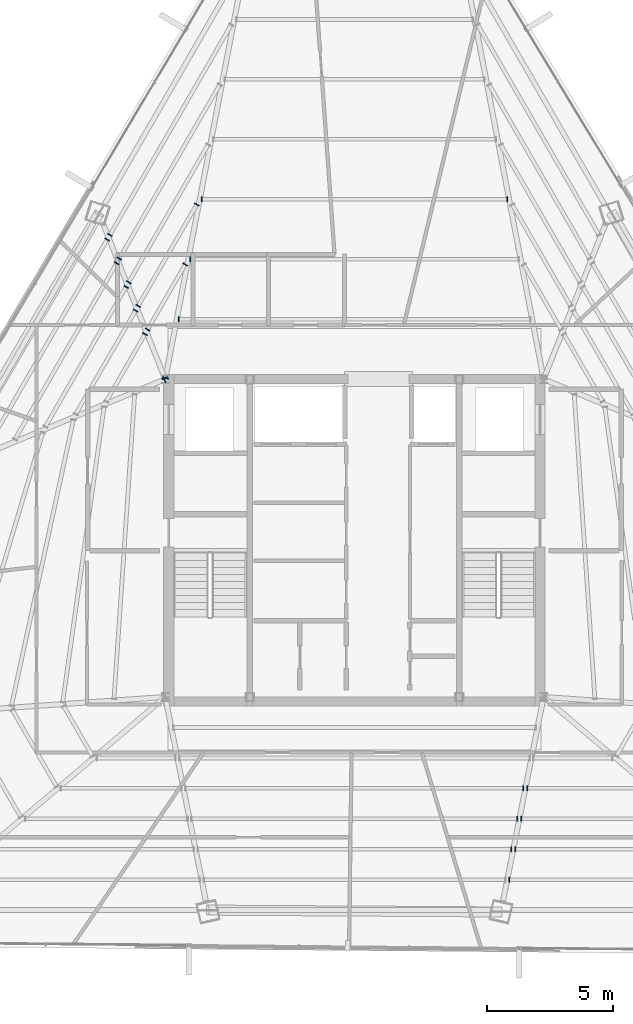
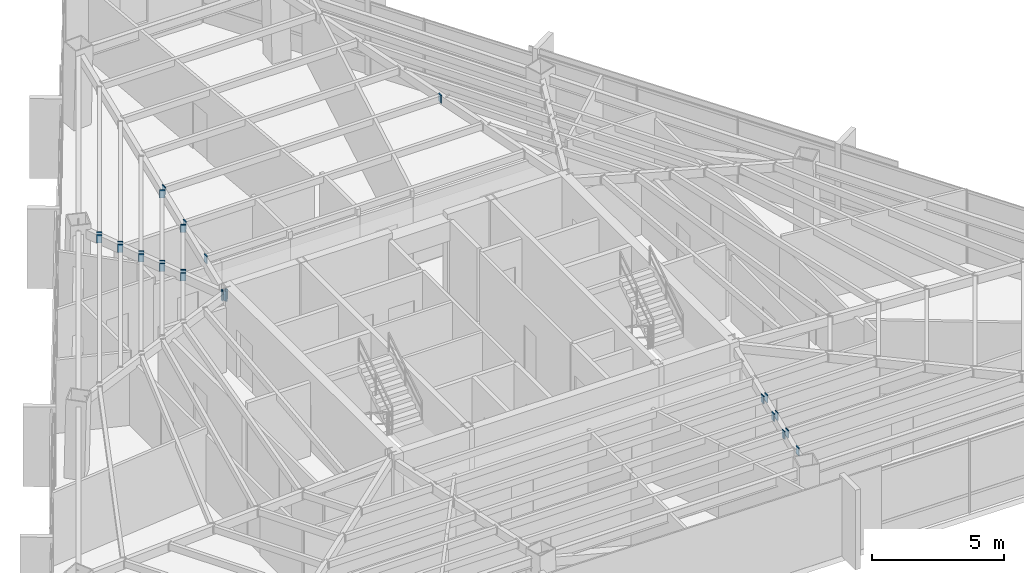
# One storey, part 41 of 49: 26 plates.
"""IFC4 building model written with IfcOpenShell, lengths in metres."""

from ifc_helpers import new_model, si_unit, direction, frame, origin, origin_2d, place, context, subcontext, project, spatial, rectangle, extrude, source, transform, mapped, material, layer, layer_set, type_object, type_shapes, element, save


model = new_model("IFC4")

# Units and contexts
model_context = context("Model", 3, precision=1e-05, world=origin(), true_north=direction((0.0, 1.0)))
body_context = subcontext(model_context, "Body", "Model", "MODEL_VIEW")
ifc_project = project(units=[si_unit("LENGTHUNIT", "METRE"), si_unit("AREAUNIT", "SQUARE_METRE"), si_unit("VOLUMEUNIT", "CUBIC_METRE"), si_unit("PLANEANGLEUNIT", "RADIAN"), si_unit("MASSUNIT", "GRAM", prefix="KILO")], contexts=[model_context])

# Site, building, storey
site_placement = place(None, origin())
site = spatial("IfcSite", under=ifc_project, at=site_placement, CompositionType="ELEMENT")
building_placement = place(site_placement, origin())
building = spatial("IfcBuilding", under=site, at=building_placement, Name="Caelisora Broadcast Tower", CompositionType="ELEMENT")
storey_placement = place(building_placement, frame((0.0, 0.0, 233.5)))
storey = spatial("IfcBuildingStorey", under=building, at=storey_placement, Name="L61", CompositionType="ELEMENT", Elevation=233.5)

# Plates
ifc_material = material(Name="Steel Grade 350 L15 (AS/NZS 3678)", Category="steel")
ifc_layer = layer(ifc_material, 0.0400390625, Name="Steel Grade 350 L15 (AS/NZS 3678)")
ifc_layer_set = layer_set([ifc_layer], Name="Steel Grade 350 L15 (AS/NZS 3678)")
plate_type = type_object("IfcPlateType", Name="GP04", PredefinedType="USERDEFINED", material=ifc_layer_set)
shared_shape_1 = source(origin(), body_context, "Body", "SweptSolid", [
    extrude(rectangle(XDim=0.260009765625, YDim=0.0400390625, at=origin_2d()), origin(), (0.0, 0.0, 1.0), 0.4599609375),
])
for number, where, z_axis, x_axis, name in (
    (1, (30.507568359375, 30.039306640625, 2.969970703125), (0.0, 0.0, 1.0), (-0.98205758823, 0.188581264713, 0.0), "L61 gusset plate GP04 (ND-RAD-L61-02)"),
    (2, (30.485107421875, 30.037109375, 2.969970703125), (0.0, 0.0, 1.0), (-0.928550628654, -0.371205778547, 0.0), "L61 gusset plate GP04 (ND-RAD-L61-03)"),
    (3, (30.463134765625, 29.984619140625, 2.969970703125), (0.0, 0.0, 1.0), (0.38429532266, -0.923210217113, 0.0), "L61 gusset plate GP04 (ND-RAD-L61-04)"),
):
    element("IfcPlate", number, at=place(storey_placement, frame(where, z_axis=z_axis, x_axis=x_axis)), inside=storey, type_object=plate_type, Name=name, ObjectType="GUSSET PLATE", PredefinedType="USERDEFINED", context=body_context, shape_type="MappedRepresentation", body=[
        mapped(shared_shape_1, transform((0.0, 0.0, 0.0), scale=1.0)),
    ])
shared_shape_2 = source(origin(), body_context, "Body", "SweptSolid", [
    extrude(rectangle(XDim=0.2099609375, YDim=0.0400390625, at=origin_2d()), origin(), (0.0, 0.0, 1.0), 0.360107421875),
])
type_shapes(plate_type, [shared_shape_1, shared_shape_2])
for number, where, z_axis, x_axis, name in (
    (4, (31.03515625, 32.377197265625, 3.06982421875), (0.0, 0.0, 1.0), (0.0, -1.0, 0.0), "L61 gusset plate GP04 (ND-SB-L61-001B)"),
    (5, (31.491455078125, 34.75439453125, 3.06982421875), (0.0, 0.0, 1.0), (0.0, -1.0, 0.0), "L61 gusset plate GP04 (ND-SB-L61-002B)"),
    (6, (44.05224609375, 37.1318359375, 3.06982421875), (0.0, 0.0, 1.0), (0.0, -1.0, 0.0), "L61 gusset plate GP04 (ND-SB-L61-003A)"),
    (7, (31.94775390625, 37.1318359375, 3.06982421875), (0.0, 0.0, 1.0), (0.0, -1.0, 0.0), "L61 gusset plate GP04 (ND-SB-L61-003B)"),
    (8, (31.29248046875, 34.54638671875, 3.06982421875), (0.0, 0.0, 1.0), (0.866025403784, -0.5, 0.0), "L61 gusset plate GP04 (ND-SB-L61-007A)"),
    (9, (29.802490234375, 31.965576171875, 3.06982421875), (0.0, 0.0, 1.0), (0.866025403784, -0.5, 0.0), "L61 gusset plate GP04 (ND-SB-L61-007B)"),
    (10, (31.748779296875, 36.923828125, 3.06982421875), (0.0, 0.0, 1.0), (0.866025403784, -0.5, 0.0), "L61 gusset plate GP04 (ND-SB-L61-008A)"),
    (11, (29.427490234375, 32.9033203125, 3.06982421875), (0.0, 0.0, 1.0), (0.866025403784, -0.5, 0.0), "L61 gusset plate GP04 (ND-SB-L61-008B)"),
    (12, (29.052734375, 33.8408203125, 3.06982421875), (0.0, 0.0, 1.0), (0.866025403784, -0.5, 0.0), "L61 gusset plate GP04 (ND-SB-L61-009B)"),
    (13, (28.677978515625, 34.778564453125, 3.06982421875), (0.0, 0.0, 1.0), (0.866025403784, -0.5, 0.0), "L61 gusset plate GP04 (ND-SB-L61-010B)"),
    (14, (28.302978515625, 35.716064453125, 3.06982421875), (0.0, 0.0, 1.0), (0.866025403784, -0.5, 0.0), "L61 gusset plate GP04 (ND-SB-L61-011B)"),
    (15, (29.697998046875, 31.784912109375, 3.06982421875), (0.0, 0.0, 1.0), (0.866025403784, -0.5, 0.0), "L61 gusset plate GP04 (ND-SB-L61-012A)"),
    (16, (29.3232421875, 32.72265625, 3.06982421875), (0.0, 0.0, 1.0), (0.866025403784, -0.5, 0.0), "L61 gusset plate GP04 (ND-SB-L61-013A)"),
    (17, (28.948486328125, 33.66015625, 3.06982421875), (0.0, 0.0, 1.0), (0.866025403784, -0.5, 0.0), "L61 gusset plate GP04 (ND-SB-L61-014A)"),
    (18, (28.573486328125, 34.597900390625, 3.06982421875), (0.0, 0.0, 1.0), (0.866025403784, -0.5, 0.0), "L61 gusset plate GP04 (ND-SB-L61-015A)"),
    (19, (28.19873046875, 35.535400390625, 3.06982421875), (0.0, 0.0, 1.0), (0.866025403784, -0.5, 0.0), "L61 gusset plate GP04 (ND-SB-L61-016A)"),
    (20, (44.7001953125, 13.77880859375, 3.06982421875), (0.0, 0.0, 1.0), (0.0, 1.0, 0.0), "L61 gusset plate GP04 (ND-SB-L61-034B)"),
    (21, (44.4599609375, 12.57177734375, 3.06982421875), (0.0, 0.0, 1.0), (0.0, 1.0, 0.0), "L61 gusset plate GP04 (ND-SB-L61-035B)"),
    (22, (44.2197265625, 11.36474609375, 3.06982421875), (0.0, 0.0, 1.0), (0.0, 1.0, 0.0), "L61 gusset plate GP04 (ND-SB-L61-036B)"),
    (23, (44.858154296875, 13.77880859375, 3.06982421875), (0.0, 0.0, 1.0), (0.0, 1.0, 0.0), "L61 gusset plate GP04 (ND-SB-L61-039A)"),
    (24, (44.617919921875, 12.57177734375, 3.06982421875), (0.0, 0.0, 1.0), (0.0, 1.0, 0.0), "L61 gusset plate GP04 (ND-SB-L61-040A)"),
    (25, (44.377685546875, 11.36474609375, 3.06982421875), (0.0, 0.0, 1.0), (0.0, 1.0, 0.0), "L61 gusset plate GP04 (ND-SB-L61-041A)"),
    (26, (44.137451171875, 10.15771484375, 3.06982421875), (0.0, 0.0, 1.0), (0.0, 1.0, 0.0), "L61 gusset plate GP04 (ND-SB-L61-042A)"),
):
    element("IfcPlate", number, at=place(storey_placement, frame(where, z_axis=z_axis, x_axis=x_axis)), inside=storey, type_object=plate_type, Name=name, ObjectType="GUSSET PLATE", PredefinedType="USERDEFINED", context=body_context, shape_type="MappedRepresentation", body=[
        mapped(shared_shape_2, transform((0.0, 0.0, 0.0), scale=1.0)),
    ])

save(model, "model.ifc")
